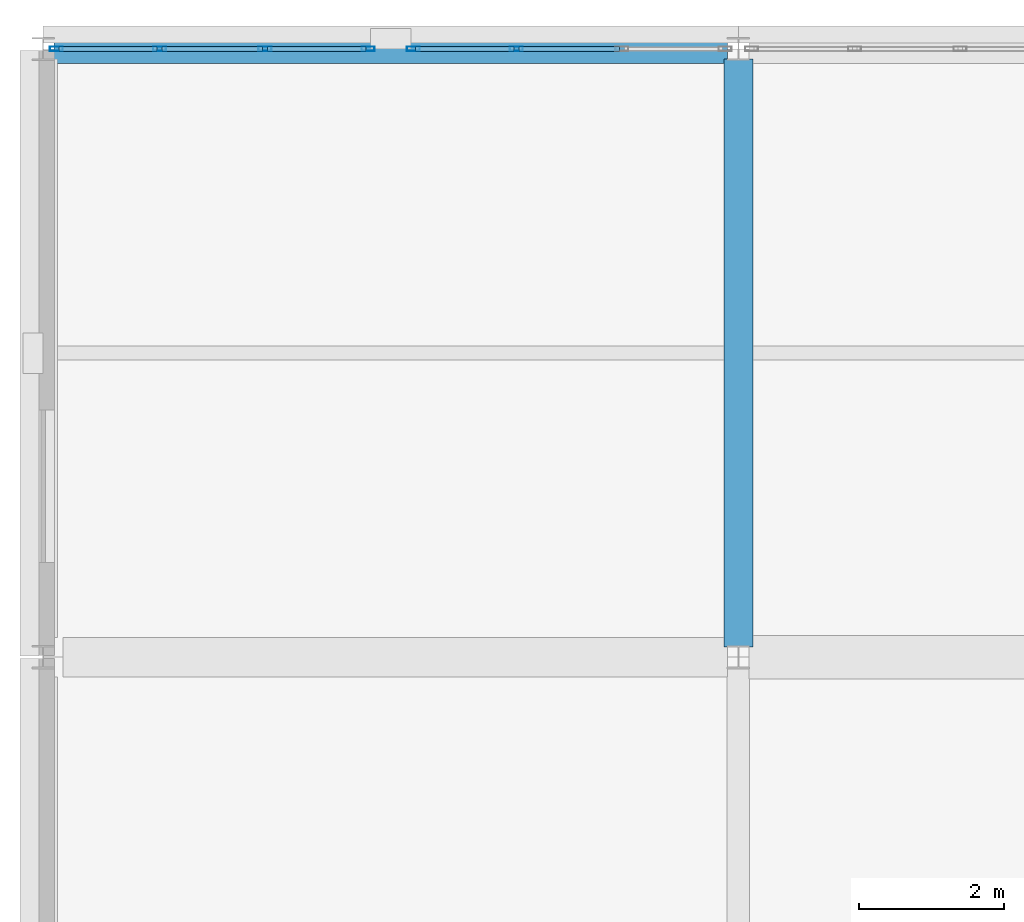
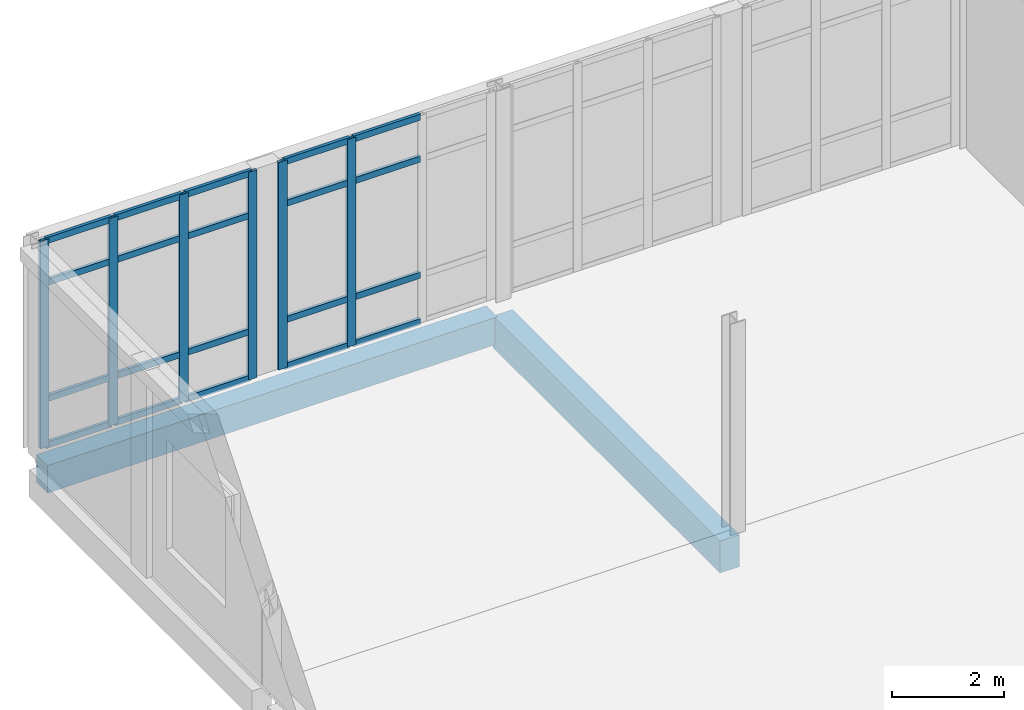
# One storey, part 50 of 88: 26 members, 2 beams, 2 elements without a shape of their own.
"""IFC4 building model written with IfcOpenShell, lengths in metres."""

from ifc_helpers import new_model, si_unit, direction, frame, origin, origin_2d, place, context, subcontext, project, spatial, rectangle, hollow_rectangle, extrude, material, layer, layer_set, material_profile, profile_set, type_object, element, aggregate, save


model = new_model("IFC4")

# Units and contexts
model_context = context("Model", 3, precision=1e-05, world=origin(), true_north=direction((0.0, 1.0)))
body_context = subcontext(model_context, "Body", "Model", "MODEL_VIEW")
ifc_project = project(units=[si_unit("LENGTHUNIT", "METRE"), si_unit("AREAUNIT", "SQUARE_METRE"), si_unit("VOLUMEUNIT", "CUBIC_METRE"), si_unit("PLANEANGLEUNIT", "RADIAN"), si_unit("MASSUNIT", "GRAM", prefix="KILO")], contexts=[model_context])

# Site, building, storey
site_placement = place(None, origin())
site = spatial("IfcSite", under=ifc_project, at=site_placement, CompositionType="ELEMENT")
building_placement = place(site_placement, origin())
building = spatial("IfcBuilding", under=site, at=building_placement, Name="Lornevale Opera House", CompositionType="ELEMENT")
storey_placement = place(building_placement, frame((0.0, 0.0, 10.199951171875)))
storey = spatial("IfcBuildingStorey", under=building, at=storey_placement, Name="L03", CompositionType="ELEMENT", Elevation=10.199951171875)

# Beams
ifc_material_1 = material(Name="Concrete 35 MPa (CSA A23.1 N)", Category="concrete")
ifc_material_profile_1 = material_profile(ifc_material_1, rectangle(XDim=0.39990234375, YDim=0.699951171875, at=origin_2d()), Name="RC400x700")
ifc_profile_set_1 = profile_set([ifc_material_profile_1], Name="Concrete 35 MPa (CSA A23.1 N)")
beam_type_1 = type_object("IfcBeamType", Name="Concrete Floor Beam 400x700", PredefinedType="USERDEFINED", material=ifc_profile_set_1)
beam_1_placement = place(storey_placement, frame((9.60009765625, 92.53759765625, -0.6298828125), z_axis=(0.0, 1.0, 0.0), x_axis=(-1.0, 0.0, 0.0)))
element("IfcBeam", 1, at=beam_1_placement, inside=storey, type_object=beam_type_1, Name="Concrete Floor Beam 400x700 2237", ObjectType="GIRDER", PredefinedType="USERDEFINED", context=body_context, shape_type="SweptSolid", body=[
    extrude(rectangle(XDim=0.39990234375, YDim=0.699951171875, at=origin_2d()), origin(), (0.0, 0.0, 1.0), 8.125),
])
ifc_material_profile_2 = material_profile(ifc_material_1, rectangle(XDim=0.39990234375, YDim=0.60009765625, at=origin_2d()), Name="RC400x600")
ifc_profile_set_2 = profile_set([ifc_material_profile_2], Name="Concrete 35 MPa (CSA A23.1 N)")
beam_type_2 = type_object("IfcBeamType", Name="Concrete Spandrel Beam 400x600", PredefinedType="SPANDREL", material=ifc_profile_set_2)
beam_2_placement = place(storey_placement, frame((0.14697265625, 100.800048828125, -0.579833984375), z_axis=(1.0, 0.0, 0.0), x_axis=(0.0, 1.0, 0.0)))
element("IfcBeam", 2, at=beam_2_placement, inside=storey, type_object=beam_type_2, Name="Concrete Spandrel Beam 400x600 2214", PredefinedType="SPANDREL", context=body_context, shape_type="SweptSolid", body=[
    extrude(rectangle(XDim=0.39990234375, YDim=0.60009765625, at=origin_2d()), origin(), (0.0, 0.0, 1.0), 9.305908203125),
])

# Curtain wall, members
ifc_material_2 = material(Name="Anodized Oxide-Green Aluminium Framing", Category="aluminium")
ifc_layer = layer(ifc_material_2, 0.175048828125)
ifc_layer_set = layer_set([ifc_layer], Name="Anodized Oxide-Green Aluminium Framing")
curtain_wall_type = type_object("IfcCurtainWallType", Name="Chamber Cloister Curtain Wall M1700", PredefinedType="NOTDEFINED", material=ifc_layer_set)
curtain_wall_1_placement = place(storey_placement, origin())
curtain_wall_1 = element("IfcCurtainWall", 3, at=curtain_wall_1_placement, inside=storey, type_object=curtain_wall_type, Name="Chamber Cloister Curtain Wall M1700 CW-098", PredefinedType="NOTDEFINED")
ifc_material_profile_3 = material_profile(ifc_material_2, hollow_rectangle(XDim=0.06494140625, YDim=0.179931640625, WallThickness=0.0048828125, at=origin_2d()), Name="ALU65x180x5")
ifc_profile_set_3 = profile_set([ifc_material_profile_3], Name="Anodized Oxide-Green Aluminium Framing")
member_type_1 = type_object("IfcMemberType", Name="Curtain Wall Mullion 65x180", PredefinedType="MULLION", material=ifc_profile_set_3)
member_1_placement = place(storey_placement, frame((0.18310546875, 100.800048828125, 0.0), z_axis=(0.0, 0.0, 1.0), x_axis=(0.0, 1.0, 0.0)))
member_1 = element("IfcMember", 4, at=member_1_placement, type_object=member_type_1, Name="Curtain Wall Mullion 65x180 CW1970", PredefinedType="MULLION", context=body_context, shape_type="SweptSolid", body=[
    extrude(hollow_rectangle(XDim=0.06494140625, YDim=0.179931640625, WallThickness=0.0048828125, at=origin_2d()), origin(), (0.0, 0.0, 1.0), 4.5400390625),
])
member_2_placement = place(storey_placement, frame((1.60693359375, 100.800048828125, 0.0), z_axis=(0.0, 0.0, 1.0), x_axis=(0.0, 1.0, 0.0)))
member_2 = element("IfcMember", 5, at=member_2_placement, type_object=member_type_1, Name="Curtain Wall Mullion 65x180 CW1971", PredefinedType="MULLION", context=body_context, shape_type="SweptSolid", body=[
    extrude(hollow_rectangle(XDim=0.06494140625, YDim=0.179931640625, WallThickness=0.0048828125, at=origin_2d()), origin(), (0.0, 0.0, 1.0), 4.5400390625),
])
member_3_placement = place(storey_placement, frame((3.0634765625, 100.800048828125, 0.0), z_axis=(0.0, 0.0, 1.0), x_axis=(0.0, 1.0, 0.0)))
member_3 = element("IfcMember", 6, at=member_3_placement, type_object=member_type_1, Name="Curtain Wall Mullion 65x180 CW1972", PredefinedType="MULLION", context=body_context, shape_type="SweptSolid", body=[
    extrude(hollow_rectangle(XDim=0.06494140625, YDim=0.179931640625, WallThickness=0.0048828125, at=origin_2d()), origin(), (0.0, 0.0, 1.0), 4.5400390625),
])
member_4_placement = place(storey_placement, frame((4.487548828125, 100.800048828125, 0.0), z_axis=(0.0, 0.0, 1.0), x_axis=(0.0, 1.0, 0.0)))
member_4 = element("IfcMember", 7, at=member_4_placement, type_object=member_type_1, Name="Curtain Wall Mullion 65x180 CW1973", PredefinedType="MULLION", context=body_context, shape_type="SweptSolid", body=[
    extrude(hollow_rectangle(XDim=0.06494140625, YDim=0.179931640625, WallThickness=0.0048828125, at=origin_2d()), origin(), (0.0, 0.0, 1.0), 4.5400390625),
])

curtain_wall_2_placement = place(storey_placement, origin())
curtain_wall_2 = element("IfcCurtainWall", 8, at=curtain_wall_2_placement, inside=storey, type_object=curtain_wall_type, Name="Chamber Cloister Curtain Wall M1700 CW-099", PredefinedType="NOTDEFINED")
member_5_placement = place(storey_placement, frame((5.112548828125, 100.800048828125, 0.0), z_axis=(0.0, 0.0, 1.0), x_axis=(0.0, 1.0, 0.0)))
member_5 = element("IfcMember", 9, at=member_5_placement, type_object=member_type_1, Name="Curtain Wall Mullion 65x180 CW1995", PredefinedType="MULLION", context=body_context, shape_type="SweptSolid", body=[
    extrude(hollow_rectangle(XDim=0.06494140625, YDim=0.179931640625, WallThickness=0.0048828125, at=origin_2d()), origin(), (0.0, 0.0, 1.0), 4.5400390625),
])
member_6_placement = place(storey_placement, frame((6.53662109375, 100.800048828125, 0.0), z_axis=(0.0, 0.0, 1.0), x_axis=(0.0, 1.0, 0.0)))
member_6 = element("IfcMember", 10, at=member_6_placement, type_object=member_type_1, Name="Curtain Wall Mullion 65x180 CW1996", PredefinedType="MULLION", context=body_context, shape_type="SweptSolid", body=[
    extrude(hollow_rectangle(XDim=0.06494140625, YDim=0.179931640625, WallThickness=0.0048828125, at=origin_2d()), origin(), (0.0, 0.0, 1.0), 4.5400390625),
])

# Member
ifc_material_profile_4 = material_profile(ifc_material_2, hollow_rectangle(XDim=0.06494140625, YDim=0.135009765625, WallThickness=0.00390625, at=origin_2d()), Name="ALU65x135x4")
ifc_profile_set_4 = profile_set([ifc_material_profile_4], Name="Anodized Oxide-Green Aluminium Framing")
member_type_2 = type_object("IfcMemberType", Name="Curtain Wall Transom 65x135", PredefinedType="USERDEFINED", material=ifc_profile_set_4)
member_7_placement = place(storey_placement, frame((0.215576171875, 100.800048828125, 0.032470703125), z_axis=(1.0, 0.0, 0.0), x_axis=(0.0, 1.0, 0.0)))
member_7 = element("IfcMember", 11, at=member_7_placement, type_object=member_type_2, Name="Curtain Wall Transom 65x135 CW1974", ObjectType="TRANSOM", PredefinedType="USERDEFINED", context=body_context, shape_type="SweptSolid", body=[
    extrude(hollow_rectangle(XDim=0.06494140625, YDim=0.135009765625, WallThickness=0.00390625, at=origin_2d()), origin(), (0.0, 0.0, 1.0), 1.35888671875),
])

member_8_placement = place(storey_placement, frame((0.215576171875, 100.800048828125, 1.050048828125), z_axis=(1.0, 0.0, 0.0), x_axis=(0.0, 1.0, 0.0)))
member_8 = element("IfcMember", 12, at=member_8_placement, type_object=member_type_2, Name="Curtain Wall Transom 65x135 CW1975", ObjectType="TRANSOM", PredefinedType="USERDEFINED", context=body_context, shape_type="SweptSolid", body=[
    extrude(hollow_rectangle(XDim=0.06494140625, YDim=0.135009765625, WallThickness=0.00390625, at=origin_2d()), origin(), (0.0, 0.0, 1.0), 1.35888671875),
])

member_9_placement = place(storey_placement, frame((0.215576171875, 100.800048828125, 3.590087890625), z_axis=(1.0, 0.0, 0.0), x_axis=(0.0, 1.0, 0.0)))
member_9 = element("IfcMember", 13, at=member_9_placement, type_object=member_type_2, Name="Curtain Wall Transom 65x135 CW1976", ObjectType="TRANSOM", PredefinedType="USERDEFINED", context=body_context, shape_type="SweptSolid", body=[
    extrude(hollow_rectangle(XDim=0.06494140625, YDim=0.135009765625, WallThickness=0.00390625, at=origin_2d()), origin(), (0.0, 0.0, 1.0), 1.35888671875),
])

member_10_placement = place(storey_placement, frame((0.215576171875, 100.800048828125, 4.507568359375), z_axis=(1.0, 0.0, 0.0), x_axis=(0.0, 1.0, 0.0)))
member_10 = element("IfcMember", 14, at=member_10_placement, type_object=member_type_2, Name="Curtain Wall Transom 65x135 CW1977", ObjectType="TRANSOM", PredefinedType="USERDEFINED", context=body_context, shape_type="SweptSolid", body=[
    extrude(hollow_rectangle(XDim=0.06494140625, YDim=0.135009765625, WallThickness=0.00390625, at=origin_2d()), origin(), (0.0, 0.0, 1.0), 1.35888671875),
])

member_11_placement = place(storey_placement, frame((1.639404296875, 100.800048828125, 0.032470703125), z_axis=(1.0, 0.0, 0.0), x_axis=(0.0, 1.0, 0.0)))
member_11 = element("IfcMember", 15, at=member_11_placement, type_object=member_type_2, Name="Curtain Wall Transom 65x135 CW1981", ObjectType="TRANSOM", PredefinedType="USERDEFINED", context=body_context, shape_type="SweptSolid", body=[
    extrude(hollow_rectangle(XDim=0.06494140625, YDim=0.135009765625, WallThickness=0.00390625, at=origin_2d()), origin(), (0.0, 0.0, 1.0), 1.3916015625),
])

member_12_placement = place(storey_placement, frame((1.639404296875, 100.800048828125, 1.050048828125), z_axis=(1.0, 0.0, 0.0), x_axis=(0.0, 1.0, 0.0)))
member_12 = element("IfcMember", 16, at=member_12_placement, type_object=member_type_2, Name="Curtain Wall Transom 65x135 CW1982", ObjectType="TRANSOM", PredefinedType="USERDEFINED", context=body_context, shape_type="SweptSolid", body=[
    extrude(hollow_rectangle(XDim=0.06494140625, YDim=0.135009765625, WallThickness=0.00390625, at=origin_2d()), origin(), (0.0, 0.0, 1.0), 1.3916015625),
])

member_13_placement = place(storey_placement, frame((1.639404296875, 100.800048828125, 3.590087890625), z_axis=(1.0, 0.0, 0.0), x_axis=(0.0, 1.0, 0.0)))
member_13 = element("IfcMember", 17, at=member_13_placement, type_object=member_type_2, Name="Curtain Wall Transom 65x135 CW1983", ObjectType="TRANSOM", PredefinedType="USERDEFINED", context=body_context, shape_type="SweptSolid", body=[
    extrude(hollow_rectangle(XDim=0.06494140625, YDim=0.135009765625, WallThickness=0.00390625, at=origin_2d()), origin(), (0.0, 0.0, 1.0), 1.3916015625),
])

member_14_placement = place(storey_placement, frame((1.639404296875, 100.800048828125, 4.507568359375), z_axis=(1.0, 0.0, 0.0), x_axis=(0.0, 1.0, 0.0)))
member_14 = element("IfcMember", 18, at=member_14_placement, type_object=member_type_2, Name="Curtain Wall Transom 65x135 CW1984", ObjectType="TRANSOM", PredefinedType="USERDEFINED", context=body_context, shape_type="SweptSolid", body=[
    extrude(hollow_rectangle(XDim=0.06494140625, YDim=0.135009765625, WallThickness=0.00390625, at=origin_2d()), origin(), (0.0, 0.0, 1.0), 1.3916015625),
])

member_15_placement = place(storey_placement, frame((3.095947265625, 100.800048828125, 0.032470703125), z_axis=(1.0, 0.0, 0.0), x_axis=(0.0, 1.0, 0.0)))
member_15 = element("IfcMember", 19, at=member_15_placement, type_object=member_type_2, Name="Curtain Wall Transom 65x135 CW1988", ObjectType="TRANSOM", PredefinedType="USERDEFINED", context=body_context, shape_type="SweptSolid", body=[
    extrude(hollow_rectangle(XDim=0.06494140625, YDim=0.135009765625, WallThickness=0.00390625, at=origin_2d()), origin(), (0.0, 0.0, 1.0), 1.359130859375),
])

member_16_placement = place(storey_placement, frame((3.095947265625, 100.800048828125, 1.050048828125), z_axis=(1.0, 0.0, 0.0), x_axis=(0.0, 1.0, 0.0)))
member_16 = element("IfcMember", 20, at=member_16_placement, type_object=member_type_2, Name="Curtain Wall Transom 65x135 CW1989", ObjectType="TRANSOM", PredefinedType="USERDEFINED", context=body_context, shape_type="SweptSolid", body=[
    extrude(hollow_rectangle(XDim=0.06494140625, YDim=0.135009765625, WallThickness=0.00390625, at=origin_2d()), origin(), (0.0, 0.0, 1.0), 1.359130859375),
])

member_17_placement = place(storey_placement, frame((3.095947265625, 100.800048828125, 3.590087890625), z_axis=(1.0, 0.0, 0.0), x_axis=(0.0, 1.0, 0.0)))
member_17 = element("IfcMember", 21, at=member_17_placement, type_object=member_type_2, Name="Curtain Wall Transom 65x135 CW1990", ObjectType="TRANSOM", PredefinedType="USERDEFINED", context=body_context, shape_type="SweptSolid", body=[
    extrude(hollow_rectangle(XDim=0.06494140625, YDim=0.135009765625, WallThickness=0.00390625, at=origin_2d()), origin(), (0.0, 0.0, 1.0), 1.359130859375),
])

member_18_placement = place(storey_placement, frame((3.095947265625, 100.800048828125, 4.507568359375), z_axis=(1.0, 0.0, 0.0), x_axis=(0.0, 1.0, 0.0)))
member_18 = element("IfcMember", 22, at=member_18_placement, type_object=member_type_2, Name="Curtain Wall Transom 65x135 CW1991", ObjectType="TRANSOM", PredefinedType="USERDEFINED", context=body_context, shape_type="SweptSolid", body=[
    extrude(hollow_rectangle(XDim=0.06494140625, YDim=0.135009765625, WallThickness=0.00390625, at=origin_2d()), origin(), (0.0, 0.0, 1.0), 1.359130859375),
])

aggregate(curtain_wall_1, [member_1, member_2, member_3, member_4, member_7, member_8, member_9, member_10, member_11, member_12, member_13, member_14, member_15, member_16, member_17, member_18])

member_19_placement = place(storey_placement, frame((5.14501953125, 100.800048828125, 0.032470703125), z_axis=(1.0, 0.0, 0.0), x_axis=(0.0, 1.0, 0.0)))
member_19 = element("IfcMember", 23, at=member_19_placement, type_object=member_type_2, Name="Curtain Wall Transom 65x135 CW1999", ObjectType="TRANSOM", PredefinedType="USERDEFINED", context=body_context, shape_type="SweptSolid", body=[
    extrude(hollow_rectangle(XDim=0.06494140625, YDim=0.135009765625, WallThickness=0.00390625, at=origin_2d()), origin(), (0.0, 0.0, 1.0), 1.35888671875),
])

member_20_placement = place(storey_placement, frame((5.14501953125, 100.800048828125, 1.050048828125), z_axis=(1.0, 0.0, 0.0), x_axis=(0.0, 1.0, 0.0)))
member_20 = element("IfcMember", 24, at=member_20_placement, type_object=member_type_2, Name="Curtain Wall Transom 65x135 CW2000", ObjectType="TRANSOM", PredefinedType="USERDEFINED", context=body_context, shape_type="SweptSolid", body=[
    extrude(hollow_rectangle(XDim=0.06494140625, YDim=0.135009765625, WallThickness=0.00390625, at=origin_2d()), origin(), (0.0, 0.0, 1.0), 1.35888671875),
])

member_21_placement = place(storey_placement, frame((5.14501953125, 100.800048828125, 3.590087890625), z_axis=(1.0, 0.0, 0.0), x_axis=(0.0, 1.0, 0.0)))
member_21 = element("IfcMember", 25, at=member_21_placement, type_object=member_type_2, Name="Curtain Wall Transom 65x135 CW2001", ObjectType="TRANSOM", PredefinedType="USERDEFINED", context=body_context, shape_type="SweptSolid", body=[
    extrude(hollow_rectangle(XDim=0.06494140625, YDim=0.135009765625, WallThickness=0.00390625, at=origin_2d()), origin(), (0.0, 0.0, 1.0), 1.35888671875),
])

member_22_placement = place(storey_placement, frame((5.14501953125, 100.800048828125, 4.507568359375), z_axis=(1.0, 0.0, 0.0), x_axis=(0.0, 1.0, 0.0)))
member_22 = element("IfcMember", 26, at=member_22_placement, type_object=member_type_2, Name="Curtain Wall Transom 65x135 CW2002", ObjectType="TRANSOM", PredefinedType="USERDEFINED", context=body_context, shape_type="SweptSolid", body=[
    extrude(hollow_rectangle(XDim=0.06494140625, YDim=0.135009765625, WallThickness=0.00390625, at=origin_2d()), origin(), (0.0, 0.0, 1.0), 1.35888671875),
])

member_23_placement = place(storey_placement, frame((6.569091796875, 100.800048828125, 0.032470703125), z_axis=(1.0, 0.0, 0.0), x_axis=(0.0, 1.0, 0.0)))
member_23 = element("IfcMember", 27, at=member_23_placement, type_object=member_type_2, Name="Curtain Wall Transom 65x135 CW2006", ObjectType="TRANSOM", PredefinedType="USERDEFINED", context=body_context, shape_type="SweptSolid", body=[
    extrude(hollow_rectangle(XDim=0.06494140625, YDim=0.135009765625, WallThickness=0.00390625, at=origin_2d()), origin(), (0.0, 0.0, 1.0), 1.391357421875),
])

member_24_placement = place(storey_placement, frame((6.569091796875, 100.800048828125, 1.050048828125), z_axis=(1.0, 0.0, 0.0), x_axis=(0.0, 1.0, 0.0)))
member_24 = element("IfcMember", 28, at=member_24_placement, type_object=member_type_2, Name="Curtain Wall Transom 65x135 CW2007", ObjectType="TRANSOM", PredefinedType="USERDEFINED", context=body_context, shape_type="SweptSolid", body=[
    extrude(hollow_rectangle(XDim=0.06494140625, YDim=0.135009765625, WallThickness=0.00390625, at=origin_2d()), origin(), (0.0, 0.0, 1.0), 1.391357421875),
])

member_25_placement = place(storey_placement, frame((6.569091796875, 100.800048828125, 3.590087890625), z_axis=(1.0, 0.0, 0.0), x_axis=(0.0, 1.0, 0.0)))
member_25 = element("IfcMember", 29, at=member_25_placement, type_object=member_type_2, Name="Curtain Wall Transom 65x135 CW2008", ObjectType="TRANSOM", PredefinedType="USERDEFINED", context=body_context, shape_type="SweptSolid", body=[
    extrude(hollow_rectangle(XDim=0.06494140625, YDim=0.135009765625, WallThickness=0.00390625, at=origin_2d()), origin(), (0.0, 0.0, 1.0), 1.391357421875),
])

member_26_placement = place(storey_placement, frame((6.569091796875, 100.800048828125, 4.507568359375), z_axis=(1.0, 0.0, 0.0), x_axis=(0.0, 1.0, 0.0)))
member_26 = element("IfcMember", 30, at=member_26_placement, type_object=member_type_2, Name="Curtain Wall Transom 65x135 CW2009", ObjectType="TRANSOM", PredefinedType="USERDEFINED", context=body_context, shape_type="SweptSolid", body=[
    extrude(hollow_rectangle(XDim=0.06494140625, YDim=0.135009765625, WallThickness=0.00390625, at=origin_2d()), origin(), (0.0, 0.0, 1.0), 1.391357421875),
])

aggregate(curtain_wall_2, [member_5, member_6, member_19, member_20, member_21, member_22, member_23, member_24, member_25, member_26])

save(model, "model.ifc")
